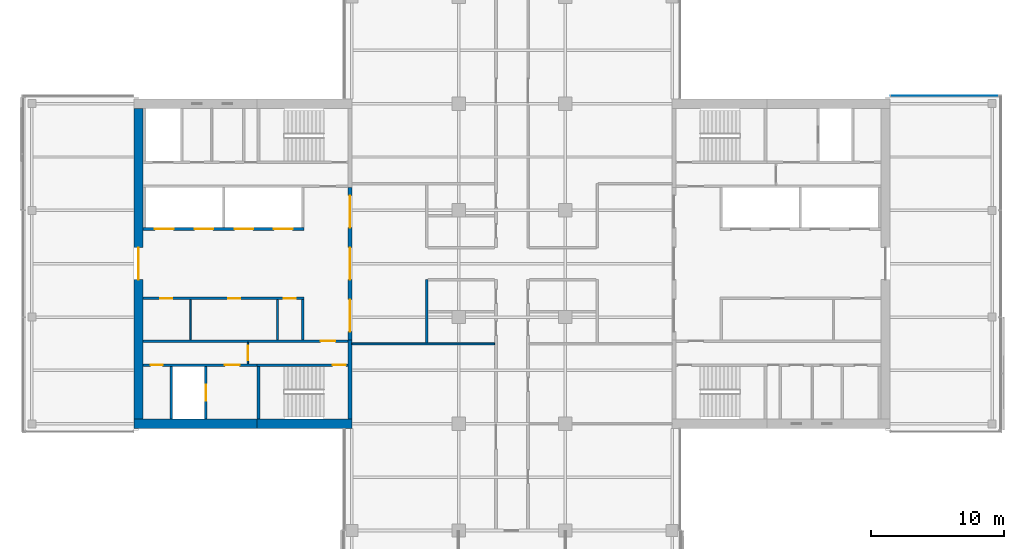
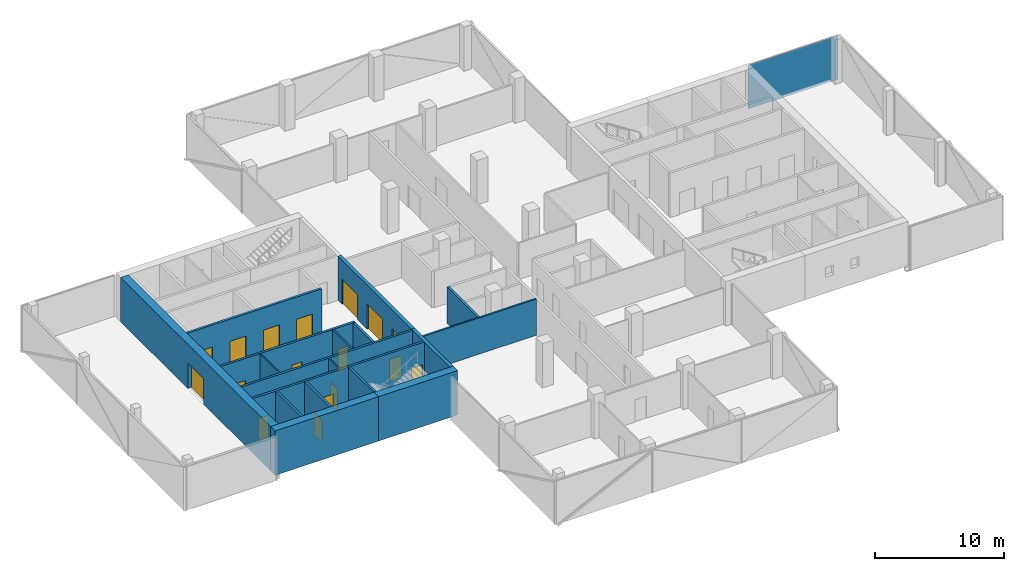
# One storey, part 13 of 22: 19 walls, 17 doors, 1 plate, 17 openings, 1 element without a shape of its own.
"""IFC4 building model written with IfcOpenShell, lengths in metres."""

import ifcopenshell
import ifcopenshell.guid

model = None  # the IFC model being written
_history = None  # IfcOwnerHistory: only IFC2X3 demands one
_inside = {}  # id of a spatial element -> (the spatial element, [elements in it])
_under = {}  # id of a project, library or spatial element -> (it, [spatial elements below it])
_declared = {}  # id of a project -> (the project, [libraries it declares])
_typed = {}  # id of a type object -> (the type object, [elements of that type])
_made_of = {}  # id of a material, layer set ... -> (it, [elements and type objects made of it])


def new_model(schema):
    """Start an empty IFC model of exactly this schema.

    Asked for "IFC4X3", IfcOpenShell would pick the latest addendum, in which some entities
    have other attributes; the version numbers below select the first issue.
    IFC2X3 requires an IfcOwnerHistory on every rooted entity: one is made here for all.
    """
    global model, _history
    if schema == "IFC4X3":
        model = ifcopenshell.file(schema_version=(4, 3, 0, 0))
    else:
        model = ifcopenshell.file(schema=schema)
    _inside.clear()
    _under.clear()
    _declared.clear()
    _typed.clear()
    _made_of.clear()
    _history = None
    if model.schema == "IFC2X3":
        org = make("IfcOrganization", Name="unknown")
        user = make(
            "IfcPersonAndOrganization",
            ThePerson=make("IfcPerson", FamilyName="unknown"),
            TheOrganization=org,
        )
        app = make(
            "IfcApplication",
            ApplicationDeveloper=org,
            Version="unknown",
            ApplicationFullName="unknown",
            ApplicationIdentifier="unknown",
        )
        _history = make(
            "IfcOwnerHistory",
            OwningUser=user,
            OwningApplication=app,
            ChangeAction="ADDED",
            CreationDate=0,
        )
    return model


def make(cls, **values):
    """One entity of the class cls with the attributes given. An attribute that is None is left unset."""
    return model.create_entity(
        cls, **{name: value for name, value in values.items() if value is not None}
    )


def rooted(cls, **values):
    """An entity with a GlobalId (a new one), such as an element, a storey or a relation."""
    return make(cls, GlobalId=ifcopenshell.guid.new(), OwnerHistory=_history, **values)


def si_unit(unit_type, name, prefix=None):
    """IfcSIUnit, for example si_unit("LENGTHUNIT", "METRE", prefix="MILLI")."""
    return make("IfcSIUnit", UnitType=unit_type, Prefix=prefix, Name=name)


def assignment(units):
    """IfcUnitAssignment: the units of a project."""
    return None if units is None else make("IfcUnitAssignment", Units=units)


def point(xyz):
    """IfcCartesianPoint."""
    return None if xyz is None else make("IfcCartesianPoint", Coordinates=xyz)


def direction(xyz):
    """IfcDirection."""
    return None if xyz is None else make("IfcDirection", DirectionRatios=xyz)


def frame(location, z_axis=None, x_axis=None):
    """IfcAxis2Placement3D, a coordinate frame: its origin and axes. An axis left out is left unset."""
    return make(
        "IfcAxis2Placement3D",
        Location=point(location),
        Axis=direction(z_axis),
        RefDirection=direction(x_axis),
    )


def frame_2d(location, x_axis=None):
    """IfcAxis2Placement2D, a coordinate frame in the plane: its origin and x axis."""
    return make(
        "IfcAxis2Placement2D", Location=point(location), RefDirection=direction(x_axis)
    )


def origin():
    """The frame at (0, 0, 0) with its axes left unset."""
    return frame((0.0, 0.0, 0.0))


def place(relative_to, where):
    """IfcLocalPlacement: puts the frame where relative to a parent placement (None: the world)."""
    return make(
        "IfcLocalPlacement", PlacementRelTo=relative_to, RelativePlacement=where
    )


def context(
    kind, dimensions, precision=None, world=None, true_north=None, identifier=None
):
    """IfcGeometricRepresentationContext, for example the 3D "Model" context."""
    return make(
        "IfcGeometricRepresentationContext",
        ContextIdentifier=identifier,
        ContextType=kind,
        CoordinateSpaceDimension=dimensions,
        Precision=precision,
        WorldCoordinateSystem=world,
        TrueNorth=true_north,
    )


def subcontext(parent, identifier, kind, view, scale=None):
    """IfcGeometricRepresentationSubContext, for example "Body" below "Model"."""
    return make(
        "IfcGeometricRepresentationSubContext",
        ContextIdentifier=identifier,
        ContextType=kind,
        ParentContext=parent,
        TargetScale=scale,
        TargetView=view,
    )


def project(units=None, contexts=None):
    """IfcProject with its units and contexts."""
    return rooted(
        "IfcProject",
        Name="project",
        RepresentationContexts=contexts,
        UnitsInContext=assignment(units),
    )


def spatial(cls, under=None, at=None, **own):
    """A site, building, storey or space (cls), placed at a placement, below another one or the project."""
    s = rooted(cls, ObjectPlacement=at, **own)
    if under is not None:
        _under.setdefault(under.id(), (under, []))[1].append(s)
    return s


def polyline(points):
    """IfcPolyline through the points."""
    return make("IfcPolyline", Points=[point(p) for p in points])


def profile(cls, at=None, kind="AREA", **sizes):
    """A parametric profile (cls). Its sizes go by their IFC names, for example OverallWidth=200.0."""
    return make(cls, ProfileType=kind, Position=at, **sizes)


def rectangle(**sizes):
    """IfcRectangleProfileDef."""
    return profile("IfcRectangleProfileDef", **sizes)


def outline(outer, holes=None, kind="AREA"):
    """IfcArbitraryClosedProfileDef: a profile drawn as a closed curve; with holes, ...WithVoids."""
    if holes is None:
        return make("IfcArbitraryClosedProfileDef", ProfileType=kind, OuterCurve=outer)
    return make(
        "IfcArbitraryProfileDefWithVoids",
        ProfileType=kind,
        OuterCurve=outer,
        InnerCurves=holes,
    )


def extrude(swept, where, along, depth):
    """IfcExtrudedAreaSolid: the profile swept, set in the frame where, extruded along a direction by depth."""
    return make(
        "IfcExtrudedAreaSolid",
        SweptArea=swept,
        Position=where,
        ExtrudedDirection=direction(along),
        Depth=depth,
    )


def shape(context_of_items, identifier, shape_type, items):
    """IfcShapeRepresentation: the items that make up one representation, for example the "Body"."""
    return make(
        "IfcShapeRepresentation",
        ContextOfItems=context_of_items,
        RepresentationIdentifier=identifier,
        RepresentationType=shape_type,
        Items=items,
    )


def material(Name=None, Category=None):
    """IfcMaterial."""
    return make("IfcMaterial", Name=Name, Category=Category)


def layer(
    of_material, thickness, ventilated=None, Name=None, Category=None, Priority=None
):
    """IfcMaterialLayer: one layer of a wall or slab, of a material (None: an air gap)."""
    return make(
        "IfcMaterialLayer",
        Material=of_material,
        LayerThickness=thickness,
        IsVentilated=ventilated,
        Name=Name,
        Category=Category,
        Priority=Priority,
    )


def layer_set(layers, Name=None):
    """IfcMaterialLayerSet."""
    return make("IfcMaterialLayerSet", MaterialLayers=layers, LayerSetName=Name)


def constituent(of_material, Name=None, Category=None, fraction=None):
    """IfcMaterialConstituent: one of the materials an element consists of."""
    return make(
        "IfcMaterialConstituent",
        Name=Name,
        Material=of_material,
        Fraction=fraction,
        Category=Category,
    )


def constituent_set(constituents=None, Name=None):
    """IfcMaterialConstituentSet."""
    return make(
        "IfcMaterialConstituentSet", Name=Name, MaterialConstituents=constituents
    )


def made_of(thing, what):
    """Note that an element or type object is made of a material, layer set ...; save() writes the relation."""
    if what is not None:
        _made_of.setdefault(what.id(), (what, []))[1].append(thing)
    return thing


def type_object(cls, material=None, **own):
    """A type object (cls), such as IfcWallType, which elements share."""
    return made_of(rooted(cls, **own), material)


def element(
    cls,
    number,
    at=None,
    inside=None,
    cuts=None,
    type_object=None,
    material=None,
    context=None,
    identifier="Body",
    shape_type=None,
    held_by="IfcProductDefinitionShape",
    body=None,
    shapes=None,
    **own,
):
    """One element of the class cls, such as IfcWall. Its Tag is "e" and its number.

    at: its placement. inside: the storey or other place that contains it. cuts: it is an
    opening in that element (IfcRelVoidsElement). A single representation is given by context,
    identifier, shape_type and body (its items); several are given by shapes. held_by: the class
    of the entity that holds the representations. save() writes the other relations.
    """
    e = rooted(cls, Tag="e%d" % number, ObjectPlacement=at, **own)
    if body is not None:
        shapes = [shape(context, identifier, shape_type, body)]
    if shapes is not None:
        e.Representation = make(held_by, Representations=shapes)
    if inside is not None:
        _inside.setdefault(inside.id(), (inside, []))[1].append(e)
    if cuts is not None:
        rooted(
            "IfcRelVoidsElement", RelatingBuildingElement=cuts, RelatedOpeningElement=e
        )
    if type_object is not None:
        _typed.setdefault(type_object.id(), (type_object, []))[1].append(e)
    return made_of(e, material)


def fill(opening, filler):
    """IfcRelFillsElement: the door or window that sits in an opening."""
    return rooted(
        "IfcRelFillsElement",
        RelatingOpeningElement=opening,
        RelatedBuildingElement=filler,
    )


def aggregate(whole, parts):
    """IfcRelAggregates: a whole, such as a stair, and the parts it consists of."""
    return rooted("IfcRelAggregates", RelatingObject=whole, RelatedObjects=parts)


def save(model, path):
    """Write the relations noted so far, then the file.

    IfcRelAggregates (storeys below a building ...), IfcRelContainedInSpatialStructure (elements
    in a storey), IfcRelDefinesByType, IfcRelAssociatesMaterial and IfcRelDeclares: one each for
    every whole, place, type object, material and project.
    """
    for whole, parts in _under.values():
        aggregate(whole, parts)
    for where, things in _inside.values():
        rooted(
            "IfcRelContainedInSpatialStructure",
            RelatedElements=things,
            RelatingStructure=where,
        )
    for kind, things in _typed.values():
        rooted("IfcRelDefinesByType", RelatedObjects=things, RelatingType=kind)
    for what, things in _made_of.values():
        rooted("IfcRelAssociatesMaterial", RelatedObjects=things, RelatingMaterial=what)
    for by, libraries in _declared.values():
        rooted("IfcRelDeclares", RelatingContext=by, RelatedDefinitions=libraries)
    model.write(path)


model = new_model("IFC4")

# Units and contexts
model_context = context("Model", 3, precision=1e-05, world=origin(), true_north=direction((0.0, 1.0)))
body_context = subcontext(model_context, "Body", "Model", "MODEL_VIEW")
ifc_project = project(units=[si_unit("LENGTHUNIT", "METRE"), si_unit("AREAUNIT", "SQUARE_METRE"), si_unit("VOLUMEUNIT", "CUBIC_METRE"), si_unit("PLANEANGLEUNIT", "RADIAN"), si_unit("MASSUNIT", "GRAM", prefix="KILO")], contexts=[model_context])

# Site, building, storey
site_placement = place(None, origin())
site = spatial("IfcSite", under=ifc_project, at=site_placement, CompositionType="ELEMENT")
building_placement = place(site_placement, origin())
building = spatial("IfcBuilding", under=site, at=building_placement, Name="Crosswind Convention Tower", CompositionType="ELEMENT")
storey_placement = place(building_placement, frame((0.0, 0.0, 121.10009765625)))
storey = spatial("IfcBuildingStorey", under=building, at=storey_placement, Name="L24", CompositionType="ELEMENT", Elevation=121.10009765625)

# Curtain wall, plate
ifc_material_1 = material(Name="Aluminium unitised curtain wall", Category="aluminium")
curtain_wall_type = type_object("IfcCurtainWallType", Name="CORE END SLOT WALL 160", PredefinedType="USERDEFINED", material=ifc_material_1)
curtain_wall_placement = place(storey_placement, origin())
curtain_wall = element("IfcCurtainWall", 1, at=curtain_wall_placement, inside=storey, type_object=curtain_wall_type, Name="CW6 L24 E-N.1-1 slot", ObjectType="UNITISED", PredefinedType="USERDEFINED")
ifc_material_2 = material(Name="Laminated insulating glass unit", Category="glass")
ifc_layer_1 = layer(ifc_material_2, 0.02587890625)
ifc_layer_set_1 = layer_set([ifc_layer_1], Name="TRIANGULAR GLASS PANEL 26")
plate_type = type_object("IfcPlateType", Name="TRIANGULAR GLASS PANEL 26", PredefinedType="CURTAIN_PANEL", material=ifc_layer_set_1)
plate_placement = place(storey_placement, frame((161.449951171875, 112.60693359375, -0.300048828125), z_axis=(0.0, 0.999999915205, 0.00041181312), x_axis=(-1.0, 0.0, 0.0)))
plate = element("IfcPlate", 2, at=plate_placement, type_object=plate_type, Name="CW6 panel 1.1", PredefinedType="CURTAIN_PANEL", context=body_context, shape_type="SweptSolid", body=[
    extrude(outline(polyline([(0.0, 0.0), (8.050048828125, 0.0), (8.050048828125, 4.149902695641108), (0.0, 4.149902695641108), (0.0, 0.0)])), origin(), (0.0, 0.0, -1.0), 0.02587890625),
])
aggregate(curtain_wall, [plate])

# Wall
ifc_material_3 = material(Name="Concrete blockwork", Category="masonry")
ifc_layer_2 = layer(ifc_material_3, 0.199951171875)
ifc_layer_set_2 = layer_set([ifc_layer_2], Name="COMPARTMENT WALL 200 BLOCKWORK")
wall_type_1 = type_object("IfcWallType", Name="COMPARTMENT WALL 200 BLOCKWORK", PredefinedType="SOLIDWALL", material=ifc_layer_set_2)
wall_1_placement = place(storey_placement, frame((118.60009765625, 94.074951171875, 0.0), z_axis=(0.0, 0.0, 1.0), x_axis=(0.0, 1.0, 0.0)))
element("IfcWall", 3, at=wall_1_placement, inside=storey, type_object=wall_type_1, Name="Compartment wall WT42", PredefinedType="SOLIDWALL", context=body_context, shape_type="SweptSolid", body=[
    extrude(rectangle(XDim=4.72509765625, YDim=0.199951171875, at=frame_2d((2.362548828125, 0.0))), origin(), (0.0, 0.0, 1.0), 3.436279296875),
])

# Wall, opening, door
ifc_material_4 = material(Name="Concrete C60/75", Category="concrete")
ifc_layer_3 = layer(ifc_material_4, 0.699951171875)
ifc_layer_set_3 = layer_set([ifc_layer_3], Name="Concrete C60/75")
wall_type_2 = type_object("IfcWallType", Name="Concrete core wall 700", PredefinedType="SHEAR", material=ifc_layer_set_3)
wall_2_placement = place(storey_placement, frame((97.0, 111.64990234375, 0.0), z_axis=(0.0, 0.0, 1.0), x_axis=(0.0, -1.0, 0.0)))
wall_2 = element("IfcWall", 4, at=wall_2_placement, inside=storey, type_object=wall_type_2, Name="Wall O W L24", PredefinedType="SHEAR", context=body_context, shape_type="SweptSolid", body=[
    extrude(rectangle(XDim=23.2998046875, YDim=0.699951171875, at=frame_2d((11.64990234375, 0.0))), origin(), (0.0, 0.0, 1.0), 4.199951171875),
])
opening_1_placement = place(wall_2_placement, frame((10.449951171875, 0.0, 0.0)))
opening_1 = element("IfcOpeningElement", 5, at=opening_1_placement, cuts=wall_2, Name="Opening D100", PredefinedType="OPENING", context=body_context, shape_type="SweptSolid", body=[
    extrude(rectangle(XDim=2.39990234375, YDim=2.39990234375, at=frame_2d((1.199951171875, 1.199951171875))), frame((0.0, 0.35986328125, 0.0), z_axis=(0.0, -1.0, 0.0), x_axis=(1.0, 0.0, 0.0)), (0.0, 0.0, 1.0), 0.719970703125),
])
ifc_material_5 = material(Name="Steel fire door with glazed vision panels", Category="steel")
door_type_1 = type_object("IfcDoorType", Name="Fire-rated double door 2400x2400", OperationType="DOUBLE_DOOR_SINGLE_SWING", PredefinedType="DOOR", material=ifc_material_5)
door_1_placement = place(opening_1_placement, frame((2.39990234375, 0.0, 0.0), z_axis=(0.0, 0.0, 1.0), x_axis=(-1.0, 0.0, 0.0)))
door_1 = element("IfcDoor", 6, at=door_1_placement, inside=storey, type_object=door_type_1, Name="Lobby outer door L24", ObjectType="D100", OperationType="DOUBLE_DOOR_SINGLE_SWING", OverallHeight=2.39990234375, OverallWidth=2.39990234375, PredefinedType="DOOR", context=body_context, shape_type="SweptSolid", body=[
    extrude(rectangle(XDim=2.39990234375, YDim=2.39990234375, at=frame_2d((1.199951171875, 1.199951171875))), frame((0.0, 0.02490234375, 0.0), z_axis=(0.0, -1.0, 0.0), x_axis=(1.0, 0.0, 0.0)), (0.0, 0.0, 1.0), 0.050048828125),
])
fill(opening_1, door_1)

# Wall, openings, doors
ifc_material_6 = material(Name="Concrete C50/60", Category="concrete")
ifc_layer_4 = layer(ifc_material_6, 0.300048828125)
ifc_layer_set_4 = layer_set([ifc_layer_4], Name="Concrete C50/60")
wall_type_3 = type_object("IfcWallType", Name="Concrete inner core wall 300", PredefinedType="SHEAR", material=ifc_layer_set_4)
wall_3_placement = place(storey_placement, frame((112.85009765625, 105.699951171875, 0.0), z_axis=(0.0, 0.0, 1.0), x_axis=(0.0, -1.0, 0.0)))
wall_3 = element("IfcWall", 7, at=wall_3_placement, inside=storey, type_object=wall_type_3, Name="Wall SCR W L24", PredefinedType="SHEAR", context=body_context, shape_type="SweptSolid", body=[
    extrude(rectangle(XDim=11.39990234375, YDim=0.300048828125, at=frame_2d((5.699951171875, 0.0))), origin(), (0.0, 0.0, 1.0), 4.199951171875),
])
opening_2_placement = place(wall_3_placement, frame((0.60009765625, 0.0, 0.0)))
opening_2 = element("IfcOpeningElement", 8, at=opening_2_placement, cuts=wall_3, Name="Opening D100", PredefinedType="OPENING", context=body_context, shape_type="SweptSolid", body=[
    extrude(rectangle(XDim=2.39990234375, YDim=2.39990234375, at=frame_2d((1.199951171875, 1.199951171875))), frame((0.0, 0.159912109375, 0.0), z_axis=(0.0, -1.0, 0.0), x_axis=(1.0, 0.0, 0.0)), (0.0, 0.0, 1.0), 0.320068359375),
])
opening_3_placement = place(wall_3_placement, frame((4.5, 0.0, 0.0)))
opening_3 = element("IfcOpeningElement", 9, at=opening_3_placement, cuts=wall_3, Name="Opening D100", PredefinedType="OPENING", context=body_context, shape_type="SweptSolid", body=[
    extrude(rectangle(XDim=2.39990234375, YDim=2.39990234375, at=frame_2d((1.199951171875, 1.199951171875))), frame((0.0, 0.159912109375, 0.0), z_axis=(0.0, -1.0, 0.0), x_axis=(1.0, 0.0, 0.0)), (0.0, 0.0, 1.0), 0.320068359375),
])
opening_4_placement = place(wall_3_placement, frame((8.39990234375, 0.0, 0.0)))
opening_4 = element("IfcOpeningElement", 10, at=opening_4_placement, cuts=wall_3, Name="Opening D100", PredefinedType="OPENING", context=body_context, shape_type="SweptSolid", body=[
    extrude(rectangle(XDim=2.39990234375, YDim=2.39990234375, at=frame_2d((1.199951171875, 1.199951171875))), frame((0.0, 0.159912109375, 0.0), z_axis=(0.0, -1.0, 0.0), x_axis=(1.0, 0.0, 0.0)), (0.0, 0.0, 1.0), 0.320068359375),
])
door_2_placement = place(opening_2_placement, origin())
door_2 = element("IfcDoor", 11, at=door_2_placement, inside=storey, type_object=door_type_1, Name="Lobby door 1 L24", ObjectType="D100", OperationType="DOUBLE_DOOR_SINGLE_SWING", OverallHeight=2.39990234375, OverallWidth=2.39990234375, PredefinedType="DOOR", context=body_context, shape_type="SweptSolid", body=[
    extrude(rectangle(XDim=2.39990234375, YDim=2.39990234375, at=frame_2d((1.199951171875, 1.199951171875))), frame((0.0, 0.02490234375, 0.0), z_axis=(0.0, -1.0, 0.0), x_axis=(1.0, 0.0, 0.0)), (0.0, 0.0, 1.0), 0.050048828125),
])
fill(opening_2, door_2)
door_3_placement = place(opening_3_placement, origin())
door_3 = element("IfcDoor", 12, at=door_3_placement, inside=storey, type_object=door_type_1, Name="Lobby door 2 L24", ObjectType="D100", OperationType="DOUBLE_DOOR_SINGLE_SWING", OverallHeight=2.39990234375, OverallWidth=2.39990234375, PredefinedType="DOOR", context=body_context, shape_type="SweptSolid", body=[
    extrude(rectangle(XDim=2.39990234375, YDim=2.39990234375, at=frame_2d((1.199951171875, 1.199951171875))), frame((0.0, 0.02490234375, 0.0), z_axis=(0.0, -1.0, 0.0), x_axis=(1.0, 0.0, 0.0)), (0.0, 0.0, 1.0), 0.050048828125),
])
fill(opening_3, door_3)
door_4_placement = place(opening_4_placement, origin())
door_4 = element("IfcDoor", 13, at=door_4_placement, inside=storey, type_object=door_type_1, Name="Lobby door 3 L24", ObjectType="D100", OperationType="DOUBLE_DOOR_SINGLE_SWING", OverallHeight=2.39990234375, OverallWidth=2.39990234375, PredefinedType="DOOR", context=body_context, shape_type="SweptSolid", body=[
    extrude(rectangle(XDim=2.39990234375, YDim=2.39990234375, at=frame_2d((1.199951171875, 1.199951171875))), frame((0.0, 0.02490234375, 0.0), z_axis=(0.0, -1.0, 0.0), x_axis=(1.0, 0.0, 0.0)), (0.0, 0.0, 1.0), 0.050048828125),
])
fill(opening_4, door_4)

# Walls
wall_4_placement = place(storey_placement, frame((112.85009765625, 94.300048828125, 0.0), z_axis=(0.0, 0.0, 1.0), x_axis=(0.0, -1.0, 0.0)))
element("IfcWall", 14, at=wall_4_placement, inside=storey, type_object=wall_type_3, Name="Wall EP W L24", PredefinedType="SHEAR", context=body_context, shape_type="SweptSolid", body=[
    extrude(rectangle(XDim=5.949951171875, YDim=0.300048828125, at=frame_2d((2.97509765625, 0.0))), origin(), (0.0, 0.0, 1.0), 4.199951171875),
])
ifc_layer_5 = layer(ifc_material_6, 0.199951171875)
ifc_layer_set_5 = layer_set([ifc_layer_5], Name="Concrete C50/60")
wall_type_4 = type_object("IfcWallType", Name="Concrete shaft and stair wall 200", PredefinedType="SHEAR", material=ifc_layer_set_5)
wall_5_placement = place(storey_placement, frame((109.300048828125, 97.300048828125, 0.0), z_axis=(0.0, 0.0, 1.0), x_axis=(0.0, -1.0, 0.0)))
element("IfcWall", 15, at=wall_5_placement, inside=storey, type_object=wall_type_4, Name="Wall RPEND W L24", PredefinedType="SHEAR", context=body_context, shape_type="SweptSolid", body=[
    extrude(rectangle(XDim=3.0, YDim=0.199951171875, at=frame_2d((1.5, 0.0))), origin(), (0.0, 0.0, 1.0), 4.199951171875),
])

# Wall, openings, doors
wall_6_placement = place(storey_placement, frame((109.39990234375, 97.39990234375, 0.0), z_axis=(0.0, 0.0, 1.0), x_axis=(-1.0, 0.0, 0.0)))
wall_6 = element("IfcWall", 16, at=wall_6_placement, inside=storey, type_object=wall_type_4, Name="Wall RPFRONT W L24", PredefinedType="SHEAR", context=body_context, shape_type="SweptSolid", body=[
    extrude(rectangle(XDim=12.0498046875, YDim=0.199951171875, at=frame_2d((6.02490234375, 0.0))), origin(), (0.0, 0.0, 1.0), 4.199951171875),
])
opening_5_placement = place(wall_6_placement, frame((0.607421875, 0.0, 0.0)))
opening_5 = element("IfcOpeningElement", 17, at=opening_5_placement, cuts=wall_6, Name="Opening D106", PredefinedType="OPENING", context=body_context, shape_type="SweptSolid", body=[
    extrude(rectangle(XDim=0.89990234375, YDim=2.10009765625, at=frame_2d((0.449951171875, 1.050048828125))), frame((0.0, 0.10986328125, 0.0), z_axis=(0.0, -1.0, 0.0), x_axis=(1.0, 0.0, 0.0)), (0.0, 0.0, 1.0), 0.219970703125),
])
opening_6_placement = place(wall_6_placement, frame((4.7861328125, 0.0, 0.0)))
opening_6 = element("IfcOpeningElement", 18, at=opening_6_placement, cuts=wall_6, Name="Opening D106", PredefinedType="OPENING", context=body_context, shape_type="SweptSolid", body=[
    extrude(rectangle(XDim=0.89990234375, YDim=2.10009765625, at=frame_2d((0.449951171875, 1.050048828125))), frame((0.0, 0.10986328125, 0.0), z_axis=(0.0, -1.0, 0.0), x_axis=(1.0, 0.0, 0.0)), (0.0, 0.0, 1.0), 0.219970703125),
])
opening_7_placement = place(wall_6_placement, frame((9.853759765625, 0.0, 0.0)))
opening_7 = element("IfcOpeningElement", 19, at=opening_7_placement, cuts=wall_6, Name="Opening D106", PredefinedType="OPENING", context=body_context, shape_type="SweptSolid", body=[
    extrude(rectangle(XDim=0.89990234375, YDim=2.10009765625, at=frame_2d((0.449951171875, 1.050048828125))), frame((0.0, 0.10986328125, 0.0), z_axis=(0.0, -1.0, 0.0), x_axis=(1.0, 0.0, 0.0)), (0.0, 0.0, 1.0), 0.219970703125),
])
ifc_material_7 = material(Name="Timber door", Category="wood")
door_type_2 = type_object("IfcDoorType", Name="Single leaf door 900x2100", OperationType="NOTDEFINED", PredefinedType="DOOR", material=ifc_material_7)
door_5_placement = place(opening_5_placement, origin())
door_5 = element("IfcDoor", 20, at=door_5_placement, inside=storey, type_object=door_type_2, Name="Door to telecoms room L24", ObjectType="D106", OperationType="SINGLE_SWING_RIGHT", OverallHeight=2.10009765625, OverallWidth=0.89990234375, PredefinedType="DOOR", context=body_context, shape_type="SweptSolid", body=[
    extrude(rectangle(XDim=0.89990234375, YDim=2.10009765625, at=frame_2d((0.449951171875, 1.050048828125))), frame((0.0, 0.02490234375, 0.0), z_axis=(0.0, -1.0, 0.0), x_axis=(1.0, 0.0, 0.0)), (0.0, 0.0, 1.0), 0.050048828125),
])
fill(opening_5, door_5)
door_6_placement = place(opening_6_placement, origin())
door_6 = element("IfcDoor", 21, at=door_6_placement, inside=storey, type_object=door_type_2, Name="Door to storeroom L24", ObjectType="D106", OperationType="SINGLE_SWING_RIGHT", OverallHeight=2.10009765625, OverallWidth=0.89990234375, PredefinedType="DOOR", context=body_context, shape_type="SweptSolid", body=[
    extrude(rectangle(XDim=0.89990234375, YDim=2.10009765625, at=frame_2d((0.449951171875, 1.050048828125))), frame((0.0, 0.02490234375, 0.0), z_axis=(0.0, -1.0, 0.0), x_axis=(1.0, 0.0, 0.0)), (0.0, 0.0, 1.0), 0.050048828125),
])
fill(opening_6, door_6)
door_7_placement = place(opening_7_placement, origin())
door_7 = element("IfcDoor", 22, at=door_7_placement, inside=storey, type_object=door_type_2, Name="Door to tenant services room L24", ObjectType="D106", OperationType="SINGLE_SWING_RIGHT", OverallHeight=2.10009765625, OverallWidth=0.89990234375, PredefinedType="DOOR", context=body_context, shape_type="SweptSolid", body=[
    extrude(rectangle(XDim=0.89990234375, YDim=2.10009765625, at=frame_2d((0.449951171875, 1.050048828125))), frame((0.0, 0.02490234375, 0.0), z_axis=(0.0, -1.0, 0.0), x_axis=(1.0, 0.0, 0.0)), (0.0, 0.0, 1.0), 0.050048828125),
])
fill(opening_7, door_7)

wall_7_placement = place(storey_placement, frame((109.39990234375, 102.60009765625, 0.0), z_axis=(0.0, 0.0, 1.0), x_axis=(-1.0, 0.0, 0.0)))
wall_7 = element("IfcWall", 23, at=wall_7_placement, inside=storey, type_object=wall_type_4, Name="Wall RMFRONT W L24", PredefinedType="SHEAR", context=body_context, shape_type="SweptSolid", body=[
    extrude(rectangle(XDim=12.0498046875, YDim=0.199951171875, at=frame_2d((6.02490234375, 0.0))), origin(), (0.0, 0.0, 1.0), 4.199951171875),
])
opening_8_placement = place(wall_7_placement, frame((0.85009765625, 0.0, 0.0)))
opening_8 = element("IfcOpeningElement", 24, at=opening_8_placement, cuts=wall_7, Name="Opening LD2", PredefinedType="OPENING", context=body_context, shape_type="SweptSolid", body=[
    extrude(rectangle(XDim=1.39990234375, YDim=2.10009765625, at=frame_2d((0.699951171875, 1.050048828125))), frame((0.0, 0.10986328125, 0.0), z_axis=(0.0, -1.0, 0.0), x_axis=(1.0, 0.0, 0.0)), (0.0, 0.0, 1.0), 0.219970703125),
])
opening_9_placement = place(wall_7_placement, frame((3.800048828125, 0.0, 0.0)))
opening_9 = element("IfcOpeningElement", 25, at=opening_9_placement, cuts=wall_7, Name="Opening LD2", PredefinedType="OPENING", context=body_context, shape_type="SweptSolid", body=[
    extrude(rectangle(XDim=1.39990234375, YDim=2.10009765625, at=frame_2d((0.699951171875, 1.050048828125))), frame((0.0, 0.10986328125, 0.0), z_axis=(0.0, -1.0, 0.0), x_axis=(1.0, 0.0, 0.0)), (0.0, 0.0, 1.0), 0.219970703125),
])
opening_10_placement = place(wall_7_placement, frame((6.800048828125, 0.0, 0.0)))
opening_10 = element("IfcOpeningElement", 26, at=opening_10_placement, cuts=wall_7, Name="Opening LD2", PredefinedType="OPENING", context=body_context, shape_type="SweptSolid", body=[
    extrude(rectangle(XDim=1.39990234375, YDim=2.10009765625, at=frame_2d((0.699951171875, 1.050048828125))), frame((0.0, 0.10986328125, 0.0), z_axis=(0.0, -1.0, 0.0), x_axis=(1.0, 0.0, 0.0)), (0.0, 0.0, 1.0), 0.219970703125),
])
opening_11_placement = place(wall_7_placement, frame((9.77490234375, 0.0, 0.0)))
opening_11 = element("IfcOpeningElement", 27, at=opening_11_placement, cuts=wall_7, Name="Opening LD2", PredefinedType="OPENING", context=body_context, shape_type="SweptSolid", body=[
    extrude(rectangle(XDim=1.39990234375, YDim=2.10009765625, at=frame_2d((0.699951171875, 1.050048828125))), frame((0.0, 0.10986328125, 0.0), z_axis=(0.0, -1.0, 0.0), x_axis=(1.0, 0.0, 0.0)), (0.0, 0.0, 1.0), 0.219970703125),
])
ifc_material_8 = material(Name="Stainless steel", Category="steel")
door_type_3 = type_object("IfcDoorType", Name="Lift landing door 1400x2100", OperationType="DOUBLE_DOOR_SLIDING", PredefinedType="DOOR", material=ifc_material_8)
door_8_placement = place(opening_8_placement, origin())
door_8 = element("IfcDoor", 28, at=door_8_placement, inside=storey, type_object=door_type_3, Name="Landing door A5 L24", ObjectType="LD2", OperationType="DOUBLE_DOOR_SLIDING", OverallHeight=2.10009765625, OverallWidth=1.39990234375, PredefinedType="DOOR", context=body_context, shape_type="SweptSolid", body=[
    extrude(rectangle(XDim=1.39990234375, YDim=2.10009765625, at=frame_2d((0.699951171875, 1.050048828125))), frame((0.0, 0.02490234375, 0.0), z_axis=(0.0, -1.0, 0.0), x_axis=(1.0, 0.0, 0.0)), (0.0, 0.0, 1.0), 0.050048828125),
])
fill(opening_8, door_8)
door_9_placement = place(opening_9_placement, origin())
door_9 = element("IfcDoor", 29, at=door_9_placement, inside=storey, type_object=door_type_3, Name="Landing door A6 L24", ObjectType="LD2", OperationType="DOUBLE_DOOR_SLIDING", OverallHeight=2.10009765625, OverallWidth=1.39990234375, PredefinedType="DOOR", context=body_context, shape_type="SweptSolid", body=[
    extrude(rectangle(XDim=1.39990234375, YDim=2.10009765625, at=frame_2d((0.699951171875, 1.050048828125))), frame((0.0, 0.02490234375, 0.0), z_axis=(0.0, -1.0, 0.0), x_axis=(1.0, 0.0, 0.0)), (0.0, 0.0, 1.0), 0.050048828125),
])
fill(opening_9, door_9)
door_10_placement = place(opening_10_placement, origin())
door_10 = element("IfcDoor", 30, at=door_10_placement, inside=storey, type_object=door_type_3, Name="Landing door A7 L24", ObjectType="LD2", OperationType="DOUBLE_DOOR_SLIDING", OverallHeight=2.10009765625, OverallWidth=1.39990234375, PredefinedType="DOOR", context=body_context, shape_type="SweptSolid", body=[
    extrude(rectangle(XDim=1.39990234375, YDim=2.10009765625, at=frame_2d((0.699951171875, 1.050048828125))), frame((0.0, 0.02490234375, 0.0), z_axis=(0.0, -1.0, 0.0), x_axis=(1.0, 0.0, 0.0)), (0.0, 0.0, 1.0), 0.050048828125),
])
fill(opening_10, door_10)
door_11_placement = place(opening_11_placement, origin())
door_11 = element("IfcDoor", 31, at=door_11_placement, inside=storey, type_object=door_type_3, Name="Landing door A8 L24", ObjectType="LD2", OperationType="DOUBLE_DOOR_SLIDING", OverallHeight=2.10009765625, OverallWidth=1.39990234375, PredefinedType="DOOR", context=body_context, shape_type="SweptSolid", body=[
    extrude(rectangle(XDim=1.39990234375, YDim=2.10009765625, at=frame_2d((0.699951171875, 1.050048828125))), frame((0.0, 0.02490234375, 0.0), z_axis=(0.0, -1.0, 0.0), x_axis=(1.0, 0.0, 0.0)), (0.0, 0.0, 1.0), 0.050048828125),
])
fill(opening_11, door_11)

# Wall, opening, door
wall_8_placement = place(storey_placement, frame((112.699951171875, 94.199951171875, 0.0), z_axis=(0.0, 0.0, 1.0), x_axis=(-1.0, 0.0, 0.0)))
wall_8 = element("IfcWall", 32, at=wall_8_placement, inside=storey, type_object=wall_type_4, Name="Wall HP W L24", PredefinedType="SHEAR", context=body_context, shape_type="SweptSolid", body=[
    extrude(rectangle(XDim=15.349853515625, YDim=0.199951171875, at=frame_2d((7.6748046875, 0.0))), origin(), (0.0, 0.0, 1.0), 4.199951171875),
])
opening_12_placement = place(wall_8_placement, frame((0.949951171875, 0.0, 0.0)))
opening_12 = element("IfcOpeningElement", 33, at=opening_12_placement, cuts=wall_8, Name="Opening D104", PredefinedType="OPENING", context=body_context, shape_type="SweptSolid", body=[
    extrude(rectangle(XDim=1.10009765625, YDim=2.10009765625, at=frame_2d((0.550048828125, 1.050048828125))), frame((0.0, 0.10986328125, 0.0), z_axis=(0.0, -1.0, 0.0), x_axis=(1.0, 0.0, 0.0)), (0.0, 0.0, 1.0), 0.219970703125),
])
ifc_material_9 = material(Name="Steel fire door", Category="steel")
door_type_4 = type_object("IfcDoorType", Name="Fire-rated single door 1100x2100", OperationType="NOTDEFINED", PredefinedType="DOOR", material=ifc_material_9)
door_12_placement = place(opening_12_placement, origin())
door_12 = element("IfcDoor", 34, at=door_12_placement, inside=storey, type_object=door_type_4, Name="Corridor door L24", ObjectType="D104", OperationType="SINGLE_SWING_LEFT", OverallHeight=2.10009765625, OverallWidth=1.10009765625, PredefinedType="DOOR", context=body_context, shape_type="SweptSolid", body=[
    extrude(rectangle(XDim=1.10009765625, YDim=2.10009765625, at=frame_2d((0.550048828125, 1.050048828125))), frame((0.0, 0.02490234375, 0.0), z_axis=(0.0, -1.0, 0.0), x_axis=(1.0, 0.0, 0.0)), (0.0, 0.0, 1.0), 0.050048828125),
])
fill(opening_12, door_12)

# Wall
wall_9_placement = place(storey_placement, frame((106.0, 92.300048828125, 0.0), z_axis=(0.0, 0.0, 1.0), x_axis=(0.0, -1.0, 0.0)))
element("IfcWall", 35, at=wall_9_placement, inside=storey, type_object=wall_type_4, Name="Wall PSE W L24", PredefinedType="SHEAR", context=body_context, shape_type="SweptSolid", body=[
    extrude(rectangle(XDim=3.949951171875, YDim=0.199951171875, at=frame_2d((1.97509765625, 0.0))), origin(), (0.0, 0.0, 1.0), 4.199951171875),
])

# Wall, opening, door
wall_10_placement = place(storey_placement, frame((102.050048828125, 92.300048828125, 0.0), z_axis=(0.0, 0.0, 1.0), x_axis=(0.0, -1.0, 0.0)))
wall_10 = element("IfcWall", 36, at=wall_10_placement, inside=storey, type_object=wall_type_4, Name="Wall PFLW W L24", PredefinedType="SHEAR", context=body_context, shape_type="SweptSolid", body=[
    extrude(rectangle(XDim=3.949951171875, YDim=0.199951171875, at=frame_2d((1.97509765625, 0.0))), origin(), (0.0, 0.0, 1.0), 4.199951171875),
])
opening_13_placement = place(wall_10_placement, frame((1.375, 0.0, 0.0)))
opening_13 = element("IfcOpeningElement", 37, at=opening_13_placement, cuts=wall_10, Name="Opening LD1", PredefinedType="OPENING", context=body_context, shape_type="SweptSolid", body=[
    extrude(rectangle(XDim=1.199951171875, YDim=2.10009765625, at=frame_2d((0.60009765625, 1.050048828125))), frame((0.0, 0.10986328125, 0.0), z_axis=(0.0, -1.0, 0.0), x_axis=(1.0, 0.0, 0.0)), (0.0, 0.0, 1.0), 0.219970703125),
])
door_type_5 = type_object("IfcDoorType", Name="Lift landing door 1200x2100", OperationType="DOUBLE_DOOR_SLIDING", PredefinedType="DOOR", material=ifc_material_8)
door_13_placement = place(opening_13_placement, origin())
door_13 = element("IfcDoor", 38, at=door_13_placement, inside=storey, type_object=door_type_5, Name="Landing door FF2 L24", ObjectType="LD1", OperationType="DOUBLE_DOOR_SLIDING", OverallHeight=2.10009765625, OverallWidth=1.199951171875, PredefinedType="DOOR", context=body_context, shape_type="SweptSolid", body=[
    extrude(rectangle(XDim=1.199951171875, YDim=2.10009765625, at=frame_2d((0.60009765625, 1.050048828125))), frame((0.0, 0.02490234375, 0.0), z_axis=(0.0, -1.0, 0.0), x_axis=(1.0, 0.0, 0.0)), (0.0, 0.0, 1.0), 0.050048828125),
])
fill(opening_13, door_13)

# Wall
wall_11_placement = place(storey_placement, frame((99.449951171875, 92.300048828125, 0.0), z_axis=(0.0, 0.0, 1.0), x_axis=(0.0, -1.0, 0.0)))
element("IfcWall", 39, at=wall_11_placement, inside=storey, type_object=wall_type_4, Name="Wall PFSE W L24", PredefinedType="SHEAR", context=body_context, shape_type="SweptSolid", body=[
    extrude(rectangle(XDim=3.949951171875, YDim=0.199951171875, at=frame_2d((1.97509765625, 0.0))), origin(), (0.0, 0.0, 1.0), 4.199951171875),
])

# Wall, opening, door
wall_12_placement = place(storey_placement, frame((112.699951171875, 92.39990234375, 0.0), z_axis=(0.0, 0.0, 1.0), x_axis=(-1.0, 0.0, 0.0)))
wall_12 = element("IfcWall", 40, at=wall_12_placement, inside=storey, type_object=wall_type_4, Name="Wall PCW W L24", PredefinedType="SHEAR", context=body_context, shape_type="SweptSolid", body=[
    extrude(rectangle(XDim=6.800048828125, YDim=0.199951171875, at=frame_2d((3.39990234375, 0.0))), origin(), (0.0, 0.0, 1.0), 4.199951171875),
])
opening_14_placement = place(wall_12_placement, frame((0.14990234375, 0.0, 0.0)))
opening_14 = element("IfcOpeningElement", 41, at=opening_14_placement, cuts=wall_12, Name="Opening D103", PredefinedType="OPENING", context=body_context, shape_type="SweptSolid", body=[
    extrude(rectangle(XDim=1.0, YDim=2.10009765625, at=frame_2d((0.5, 1.050048828125))), frame((0.0, 0.10986328125, 0.0), z_axis=(0.0, -1.0, 0.0), x_axis=(1.0, 0.0, 0.0)), (0.0, 0.0, 1.0), 0.219970703125),
])
door_type_6 = type_object("IfcDoorType", Name="Fire-rated single door 1000x2100", OperationType="NOTDEFINED", PredefinedType="DOOR", material=ifc_material_9)
door_14_placement = place(opening_14_placement, origin())
door_14 = element("IfcDoor", 42, at=door_14_placement, inside=storey, type_object=door_type_6, Name="Stair ST3 door L24", ObjectType="D103", OperationType="SINGLE_SWING_LEFT", OverallHeight=2.10009765625, OverallWidth=1.0, PredefinedType="DOOR", context=body_context, shape_type="SweptSolid", body=[
    extrude(rectangle(XDim=1.0, YDim=2.10009765625, at=frame_2d((0.5, 1.050048828125))), frame((0.0, 0.02490234375, 0.0), z_axis=(0.0, -1.0, 0.0), x_axis=(1.0, 0.0, 0.0)), (0.0, 0.0, 1.0), 0.050048828125),
])
fill(opening_14, door_14)

# Wall, openings, doors
wall_13_placement = place(storey_placement, frame((105.89990234375, 92.39990234375, 0.0), z_axis=(0.0, 0.0, 1.0), x_axis=(-1.0, 0.0, 0.0)))
wall_13 = element("IfcWall", 43, at=wall_13_placement, inside=storey, type_object=wall_type_4, Name="Wall PCX W L24", PredefinedType="SHEAR", context=body_context, shape_type="SweptSolid", body=[
    extrude(rectangle(XDim=8.5498046875, YDim=0.199951171875, at=frame_2d((4.27490234375, 0.0))), origin(), (0.0, 0.0, 1.0), 4.199951171875),
])
opening_15_placement = place(wall_13_placement, frame((1.324951171875, 0.0, 0.0)))
opening_15 = element("IfcOpeningElement", 44, at=opening_15_placement, cuts=wall_13, Name="Opening D104", PredefinedType="OPENING", context=body_context, shape_type="SweptSolid", body=[
    extrude(rectangle(XDim=1.10009765625, YDim=2.10009765625, at=frame_2d((0.550048828125, 1.050048828125))), frame((0.0, 0.10986328125, 0.0), z_axis=(0.0, -1.0, 0.0), x_axis=(1.0, 0.0, 0.0)), (0.0, 0.0, 1.0), 0.219970703125),
])
opening_16_placement = place(wall_13_placement, frame((7.10009765625, 0.0, 0.0)))
opening_16 = element("IfcOpeningElement", 45, at=opening_16_placement, cuts=wall_13, Name="Opening D106", PredefinedType="OPENING", context=body_context, shape_type="SweptSolid", body=[
    extrude(rectangle(XDim=0.89990234375, YDim=2.10009765625, at=frame_2d((0.449951171875, 1.050048828125))), frame((0.0, 0.10986328125, 0.0), z_axis=(0.0, -1.0, 0.0), x_axis=(1.0, 0.0, 0.0)), (0.0, 0.0, 1.0), 0.219970703125),
])
door_15_placement = place(opening_15_placement, origin())
door_15 = element("IfcDoor", 46, at=door_15_placement, inside=storey, type_object=door_type_4, Name="Fire-fighting lobby FF2 door L24", ObjectType="D104", OperationType="SINGLE_SWING_RIGHT", OverallHeight=2.10009765625, OverallWidth=1.10009765625, PredefinedType="DOOR", context=body_context, shape_type="SweptSolid", body=[
    extrude(rectangle(XDim=1.10009765625, YDim=2.10009765625, at=frame_2d((0.550048828125, 1.050048828125))), frame((0.0, 0.02490234375, 0.0), z_axis=(0.0, -1.0, 0.0), x_axis=(1.0, 0.0, 0.0)), (0.0, 0.0, 1.0), 0.050048828125),
])
fill(opening_15, door_15)
door_16_placement = place(opening_16_placement, origin())
door_16 = element("IfcDoor", 47, at=door_16_placement, inside=storey, type_object=door_type_2, Name="Door to electrical room L24", ObjectType="D106", OperationType="SINGLE_SWING_RIGHT", OverallHeight=2.10009765625, OverallWidth=0.89990234375, PredefinedType="DOOR", context=body_context, shape_type="SweptSolid", body=[
    extrude(rectangle(XDim=0.89990234375, YDim=2.10009765625, at=frame_2d((0.449951171875, 1.050048828125))), frame((0.0, 0.02490234375, 0.0), z_axis=(0.0, -1.0, 0.0), x_axis=(1.0, 0.0, 0.0)), (0.0, 0.0, 1.0), 0.050048828125),
])
fill(opening_16, door_16)

# Walls
ifc_material_10 = material(Name="Gypsum plasterboard partition", Category="gypsum")
ifc_layer_6 = layer(ifc_material_10, 0.125)
ifc_layer_set_6 = layer_set([ifc_layer_6], Name="Drywall partition wall 125")
wall_type_5 = type_object("IfcWallType", Name="Drywall partition wall 125", PredefinedType="PARTITIONING", material=ifc_layer_set_6)
for number, where, z_axis, x_axis, name in (
    (48, (107.422607421875, 97.300048828125, 0.0), (0.0, 0.0, 1.0), (0.0, -1.0, 0.0), "Wall RPP1 W L24"),
    (49, (100.905029296875, 97.300048828125, 0.0), (0.0, 0.0, 1.0), (0.0, -1.0, 0.0), "Wall RPP2 W L24"),
):
    element("IfcWall", number, at=place(storey_placement, frame(where, z_axis=z_axis, x_axis=x_axis)), inside=storey, type_object=wall_type_5, Name=name, PredefinedType="PARTITIONING", context=body_context, shape_type="SweptSolid", body=[
        extrude(rectangle(XDim=3.0, YDim=0.125, at=frame_2d((1.5, 0.0))), origin(), (0.0, 0.0, 1.0), 4.199951171875),
    ])

# Wall, opening, door
wall_14_placement = place(storey_placement, frame((105.199951171875, 94.10009765625, 0.0), z_axis=(0.0, 0.0, 1.0), x_axis=(0.0, -1.0, 0.0)))
wall_14 = element("IfcWall", 50, at=wall_14_placement, inside=storey, type_object=wall_type_5, Name="Wall PXC1 W L24", PredefinedType="PARTITIONING", context=body_context, shape_type="SweptSolid", body=[
    extrude(rectangle(XDim=1.60009765625, YDim=0.125, at=frame_2d((0.800048828125, 0.0))), origin(), (0.0, 0.0, 1.0), 4.199951171875),
])
opening_17_placement = place(wall_14_placement, frame((0.25, 0.0, 0.0)))
opening_17 = element("IfcOpeningElement", 51, at=opening_17_placement, cuts=wall_14, Name="Opening D104", PredefinedType="OPENING", context=body_context, shape_type="SweptSolid", body=[
    extrude(rectangle(XDim=1.10009765625, YDim=2.10009765625, at=frame_2d((0.550048828125, 1.050048828125))), frame((0.0, 0.072509765625, 0.0), z_axis=(0.0, -1.0, 0.0), x_axis=(1.0, 0.0, 0.0)), (0.0, 0.0, 1.0), 0.14501953125),
])
door_17_placement = place(opening_17_placement, origin())
door_17 = element("IfcDoor", 52, at=door_17_placement, inside=storey, type_object=door_type_4, Name="Corridor smoke door L24", ObjectType="D104", OperationType="SINGLE_SWING_RIGHT", OverallHeight=2.10009765625, OverallWidth=1.10009765625, PredefinedType="DOOR", context=body_context, shape_type="SweptSolid", body=[
    extrude(rectangle(XDim=1.10009765625, YDim=2.10009765625, at=frame_2d((0.550048828125, 1.050048828125))), frame((0.0, 0.02490234375, 0.0), z_axis=(0.0, -1.0, 0.0), x_axis=(1.0, 0.0, 0.0)), (0.0, 0.0, 1.0), 0.050048828125),
])
fill(opening_17, door_17)

# Walls
ifc_material_11 = material(Name="Fire-board partition with mineral wool", Category="gypsum")
ifc_layer_7 = layer(ifc_material_11, 0.14990234375)
ifc_layer_set_7 = layer_set([ifc_layer_7], Name="TENANCY WALL 150 TWO-HOUR BOARD")
wall_type_6 = type_object("IfcWallType", Name="TENANCY WALL 150 TWO-HOUR BOARD", PredefinedType="PARTITIONING", material=ifc_layer_set_7)
wall_15_placement = place(storey_placement, frame((113.0, 94.0, 0.0), z_axis=(0.0, 0.0, 1.0), x_axis=(1.0, 0.0, 0.0)))
element("IfcWall", 53, at=wall_15_placement, inside=storey, type_object=wall_type_6, Name="Tenancy wall WT41", PredefinedType="PARTITIONING", context=body_context, shape_type="SweptSolid", body=[
    extrude(rectangle(XDim=10.699951171875, YDim=0.14990234375, at=frame_2d((5.35009765625, 0.0))), origin(), (0.0, 0.0, 1.0), 3.436279296875),
])
ifc_constituent_1 = constituent(ifc_material_4, Name="Structure")
ifc_material_12 = material(Name="Terracotta rainscreen", Category="ceramic")
ifc_constituent_2 = constituent(ifc_material_12, Name="Facing")
ifc_constituent_set = constituent_set(constituents=[ifc_constituent_1, ifc_constituent_2], Name="Concrete C60/75, Terracotta rainscreen")
wall_type_7 = type_object("IfcWallType", Name="Terracotta rainscreen on concrete core wall 700", PredefinedType="SHEAR", material=ifc_constituent_set)
wall_16_placement = place(storey_placement, frame((113.0, 88.0, 0.0), z_axis=(0.0, 0.0, 1.0), x_axis=(-1.0, 0.0, 0.0)))
element("IfcWall", 54, at=wall_16_placement, inside=storey, type_object=wall_type_7, Name="Wall N1 W L24", PredefinedType="SHEAR", context=body_context, shape_type="SweptSolid", body=[
    extrude(rectangle(XDim=7.10009765625, YDim=0.699951171875, at=frame_2d((3.550048828125, 0.0))), origin(), (0.0, 0.0, 1.0), 4.199951171875),
])
wall_17_placement = place(storey_placement, frame((105.89990234375, 88.0, 0.0), z_axis=(0.0, 0.0, 1.0), x_axis=(-1.0, 0.0, 0.0)))
element("IfcWall", 55, at=wall_17_placement, inside=storey, type_object=wall_type_7, Name="Wall N2 W L24", PredefinedType="SHEAR", context=body_context, shape_type="SweptSolid", body=[
    extrude(rectangle(XDim=9.25, YDim=0.699951171875, at=frame_2d((4.625, 0.0))), origin(), (0.0, 0.0, 1.0), 4.199951171875),
])

save(model, "model.ifc")
